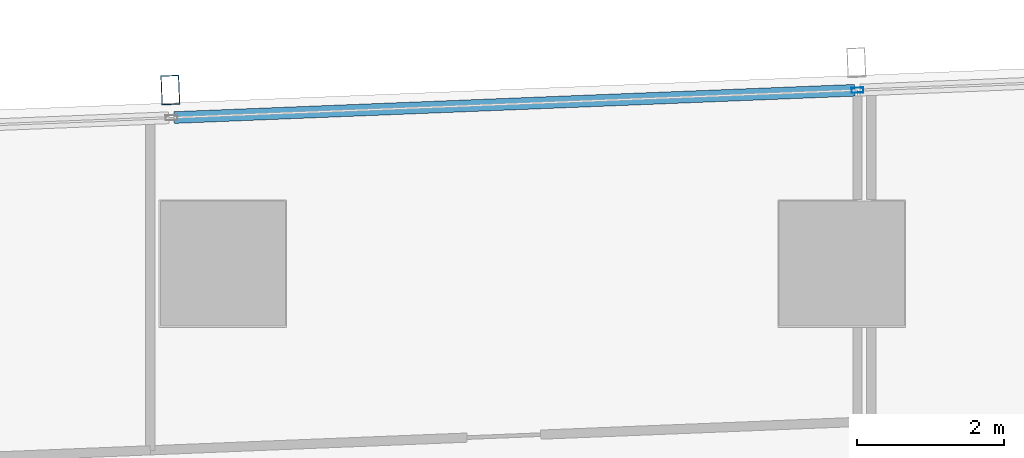
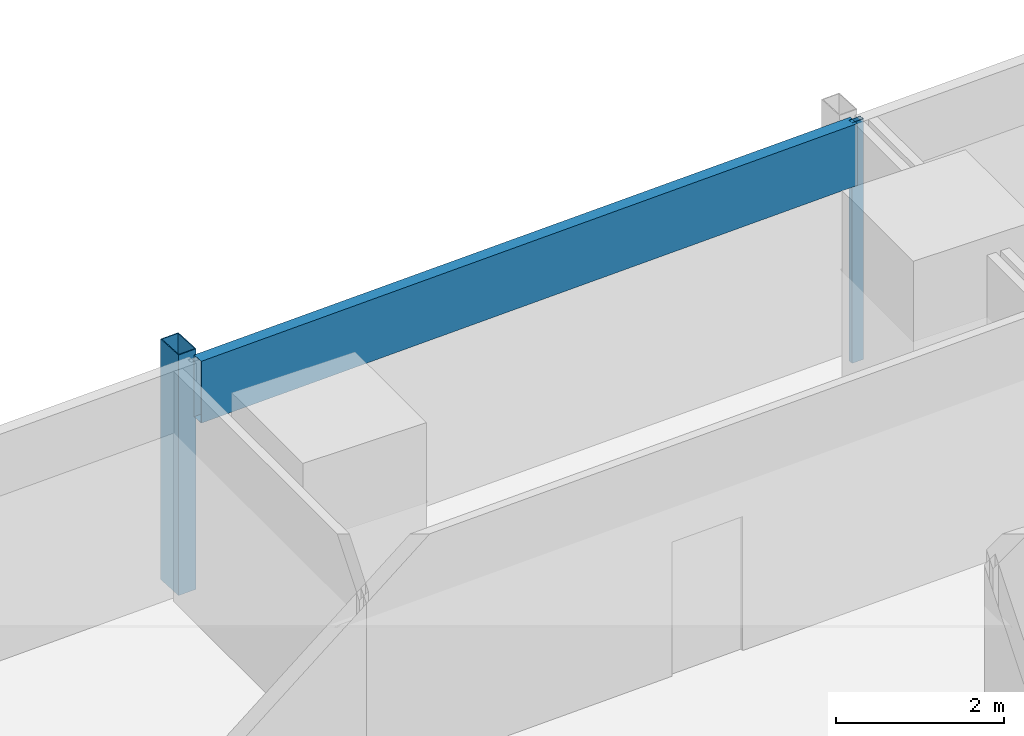
# One storey, part 16 of 40: 3 members, 1 element without a shape of its own.
"""IFC4 building model written with IfcOpenShell, lengths in metres."""

import ifcopenshell
import ifcopenshell.guid

model = None  # the IFC model being written
_history = None  # IfcOwnerHistory: only IFC2X3 demands one
_inside = {}  # id of a spatial element -> (the spatial element, [elements in it])
_under = {}  # id of a project, library or spatial element -> (it, [spatial elements below it])
_declared = {}  # id of a project -> (the project, [libraries it declares])
_typed = {}  # id of a type object -> (the type object, [elements of that type])
_made_of = {}  # id of a material, layer set ... -> (it, [elements and type objects made of it])


def new_model(schema):
    """Start an empty IFC model of exactly this schema.

    Asked for "IFC4X3", IfcOpenShell would pick the latest addendum, in which some entities
    have other attributes; the version numbers below select the first issue.
    IFC2X3 requires an IfcOwnerHistory on every rooted entity: one is made here for all.
    """
    global model, _history
    if schema == "IFC4X3":
        model = ifcopenshell.file(schema_version=(4, 3, 0, 0))
    else:
        model = ifcopenshell.file(schema=schema)
    _inside.clear()
    _under.clear()
    _declared.clear()
    _typed.clear()
    _made_of.clear()
    _history = None
    if model.schema == "IFC2X3":
        org = make("IfcOrganization", Name="unknown")
        user = make(
            "IfcPersonAndOrganization",
            ThePerson=make("IfcPerson", FamilyName="unknown"),
            TheOrganization=org,
        )
        app = make(
            "IfcApplication",
            ApplicationDeveloper=org,
            Version="unknown",
            ApplicationFullName="unknown",
            ApplicationIdentifier="unknown",
        )
        _history = make(
            "IfcOwnerHistory",
            OwningUser=user,
            OwningApplication=app,
            ChangeAction="ADDED",
            CreationDate=0,
        )
    return model


def make(cls, **values):
    """One entity of the class cls with the attributes given. An attribute that is None is left unset."""
    return model.create_entity(
        cls, **{name: value for name, value in values.items() if value is not None}
    )


def rooted(cls, **values):
    """An entity with a GlobalId (a new one), such as an element, a storey or a relation."""
    return make(cls, GlobalId=ifcopenshell.guid.new(), OwnerHistory=_history, **values)


def si_unit(unit_type, name, prefix=None):
    """IfcSIUnit, for example si_unit("LENGTHUNIT", "METRE", prefix="MILLI")."""
    return make("IfcSIUnit", UnitType=unit_type, Prefix=prefix, Name=name)


def assignment(units):
    """IfcUnitAssignment: the units of a project."""
    return None if units is None else make("IfcUnitAssignment", Units=units)


def point(xyz):
    """IfcCartesianPoint."""
    return None if xyz is None else make("IfcCartesianPoint", Coordinates=xyz)


def direction(xyz):
    """IfcDirection."""
    return None if xyz is None else make("IfcDirection", DirectionRatios=xyz)


def frame(location, z_axis=None, x_axis=None):
    """IfcAxis2Placement3D, a coordinate frame: its origin and axes. An axis left out is left unset."""
    return make(
        "IfcAxis2Placement3D",
        Location=point(location),
        Axis=direction(z_axis),
        RefDirection=direction(x_axis),
    )


def frame_2d(location, x_axis=None):
    """IfcAxis2Placement2D, a coordinate frame in the plane: its origin and x axis."""
    return make(
        "IfcAxis2Placement2D", Location=point(location), RefDirection=direction(x_axis)
    )


def origin():
    """The frame at (0, 0, 0) with its axes left unset."""
    return frame((0.0, 0.0, 0.0))


def origin_2d():
    """The frame at (0, 0) in the plane with its x axis left unset."""
    return frame_2d((0.0, 0.0))


def place(relative_to, where):
    """IfcLocalPlacement: puts the frame where relative to a parent placement (None: the world)."""
    return make(
        "IfcLocalPlacement", PlacementRelTo=relative_to, RelativePlacement=where
    )


def context(
    kind, dimensions, precision=None, world=None, true_north=None, identifier=None
):
    """IfcGeometricRepresentationContext, for example the 3D "Model" context."""
    return make(
        "IfcGeometricRepresentationContext",
        ContextIdentifier=identifier,
        ContextType=kind,
        CoordinateSpaceDimension=dimensions,
        Precision=precision,
        WorldCoordinateSystem=world,
        TrueNorth=true_north,
    )


def subcontext(parent, identifier, kind, view, scale=None):
    """IfcGeometricRepresentationSubContext, for example "Body" below "Model"."""
    return make(
        "IfcGeometricRepresentationSubContext",
        ContextIdentifier=identifier,
        ContextType=kind,
        ParentContext=parent,
        TargetScale=scale,
        TargetView=view,
    )


def project(units=None, contexts=None):
    """IfcProject with its units and contexts."""
    return rooted(
        "IfcProject",
        Name="project",
        RepresentationContexts=contexts,
        UnitsInContext=assignment(units),
    )


def spatial(cls, under=None, at=None, **own):
    """A site, building, storey or space (cls), placed at a placement, below another one or the project."""
    s = rooted(cls, ObjectPlacement=at, **own)
    if under is not None:
        _under.setdefault(under.id(), (under, []))[1].append(s)
    return s


def profile(cls, at=None, kind="AREA", **sizes):
    """A parametric profile (cls). Its sizes go by their IFC names, for example OverallWidth=200.0."""
    return make(cls, ProfileType=kind, Position=at, **sizes)


def hollow_rectangle(**sizes):
    """IfcRectangleHollowProfileDef."""
    return profile("IfcRectangleHollowProfileDef", **sizes)


def extrude(swept, where, along, depth):
    """IfcExtrudedAreaSolid: the profile swept, set in the frame where, extruded along a direction by depth."""
    return make(
        "IfcExtrudedAreaSolid",
        SweptArea=swept,
        Position=where,
        ExtrudedDirection=direction(along),
        Depth=depth,
    )


def shape(context_of_items, identifier, shape_type, items):
    """IfcShapeRepresentation: the items that make up one representation, for example the "Body"."""
    return make(
        "IfcShapeRepresentation",
        ContextOfItems=context_of_items,
        RepresentationIdentifier=identifier,
        RepresentationType=shape_type,
        Items=items,
    )


def material(Name=None, Category=None):
    """IfcMaterial."""
    return make("IfcMaterial", Name=Name, Category=Category)


def material_profile(
    of_material, cross_section, Name=None, Category=None, Priority=None
):
    """IfcMaterialProfile: a cross section and its material."""
    return make(
        "IfcMaterialProfile",
        Name=Name,
        Material=of_material,
        Profile=cross_section,
        Priority=Priority,
        Category=Category,
    )


def profile_set(profiles, Name=None, composite=None):
    """IfcMaterialProfileSet."""
    return make(
        "IfcMaterialProfileSet",
        Name=Name,
        MaterialProfiles=profiles,
        CompositeProfile=composite,
    )


def made_of(thing, what):
    """Note that an element or type object is made of a material, layer set ...; save() writes the relation."""
    if what is not None:
        _made_of.setdefault(what.id(), (what, []))[1].append(thing)
    return thing


def type_object(cls, material=None, **own):
    """A type object (cls), such as IfcWallType, which elements share."""
    return made_of(rooted(cls, **own), material)


def element(
    cls,
    number,
    at=None,
    inside=None,
    cuts=None,
    type_object=None,
    material=None,
    context=None,
    identifier="Body",
    shape_type=None,
    held_by="IfcProductDefinitionShape",
    body=None,
    shapes=None,
    **own,
):
    """One element of the class cls, such as IfcWall. Its Tag is "e" and its number.

    at: its placement. inside: the storey or other place that contains it. cuts: it is an
    opening in that element (IfcRelVoidsElement). A single representation is given by context,
    identifier, shape_type and body (its items); several are given by shapes. held_by: the class
    of the entity that holds the representations. save() writes the other relations.
    """
    e = rooted(cls, Tag="e%d" % number, ObjectPlacement=at, **own)
    if body is not None:
        shapes = [shape(context, identifier, shape_type, body)]
    if shapes is not None:
        e.Representation = make(held_by, Representations=shapes)
    if inside is not None:
        _inside.setdefault(inside.id(), (inside, []))[1].append(e)
    if cuts is not None:
        rooted(
            "IfcRelVoidsElement", RelatingBuildingElement=cuts, RelatedOpeningElement=e
        )
    if type_object is not None:
        _typed.setdefault(type_object.id(), (type_object, []))[1].append(e)
    return made_of(e, material)


def aggregate(whole, parts):
    """IfcRelAggregates: a whole, such as a stair, and the parts it consists of."""
    return rooted("IfcRelAggregates", RelatingObject=whole, RelatedObjects=parts)


def save(model, path):
    """Write the relations noted so far, then the file.

    IfcRelAggregates (storeys below a building ...), IfcRelContainedInSpatialStructure (elements
    in a storey), IfcRelDefinesByType, IfcRelAssociatesMaterial and IfcRelDeclares: one each for
    every whole, place, type object, material and project.
    """
    for whole, parts in _under.values():
        aggregate(whole, parts)
    for where, things in _inside.values():
        rooted(
            "IfcRelContainedInSpatialStructure",
            RelatedElements=things,
            RelatingStructure=where,
        )
    for kind, things in _typed.values():
        rooted("IfcRelDefinesByType", RelatedObjects=things, RelatingType=kind)
    for what, things in _made_of.values():
        rooted("IfcRelAssociatesMaterial", RelatedObjects=things, RelatingMaterial=what)
    for by, libraries in _declared.values():
        rooted("IfcRelDeclares", RelatingContext=by, RelatedDefinitions=libraries)
    model.write(path)


model = new_model("IFC4")

# Units and contexts
model_context = context("Model", 3, precision=1e-05, world=origin(), true_north=direction((0.0, 1.0)))
body_context = subcontext(model_context, "Body", "Model", "MODEL_VIEW")
ifc_project = project(units=[si_unit("LENGTHUNIT", "METRE"), si_unit("AREAUNIT", "SQUARE_METRE"), si_unit("VOLUMEUNIT", "CUBIC_METRE"), si_unit("PLANEANGLEUNIT", "RADIAN"), si_unit("MASSUNIT", "GRAM", prefix="KILO")], contexts=[model_context])

# Site, building, storey
site_placement = place(None, origin())
site = spatial("IfcSite", under=ifc_project, at=site_placement, CompositionType="ELEMENT")
building_placement = place(site_placement, origin())
building = spatial("IfcBuilding", under=site, at=building_placement, Name="Rekha Terrace Tower", CompositionType="ELEMENT")
storey_placement = place(building_placement, frame((0.0, 0.0, 106.550048828125)))
storey = spatial("IfcBuildingStorey", under=building, at=storey_placement, Name="L26", CompositionType="ELEMENT", Elevation=106.550048828125)

# Curtain wall, members
ifc_material_1 = material(Name="Aluminium framing", Category="aluminium")
curtain_wall_type = type_object("IfcCurtainWallType", Name="CW3 north unitised glazing", PredefinedType="USERDEFINED", material=ifc_material_1)
curtain_wall_placement = place(storey_placement, origin())
curtain_wall = element("IfcCurtainWall", 1, at=curtain_wall_placement, inside=storey, type_object=curtain_wall_type, Name="CW3 unitised curtain wall", ObjectType="UNITISED CURTAIN WALL", PredefinedType="USERDEFINED")
ifc_material_2 = material(Name="Steel S355 with fluorocarbon finish", Category="steel")
ifc_material_profile_1 = material_profile(ifc_material_2, hollow_rectangle(XDim=0.25, YDim=0.39990234375, WallThickness=0.012451171875, at=origin_2d()), Name="RHS400x250x12.5")
ifc_profile_set_1 = profile_set([ifc_material_profile_1], Name="Steel S355 with fluorocarbon finish")
member_type_1 = type_object("IfcMemberType", Name="BL1 facade blade RHS 400 x 250", PredefinedType="USERDEFINED", material=ifc_profile_set_1)
member_1_placement = place(storey_placement, frame((16.0869140625, 61.1552734375, 0.0), z_axis=(0.0, 0.0, 1.0), x_axis=(-0.999198382632, -0.040032388711, 0.0)))
member_1 = element("IfcMember", 2, at=member_1_placement, type_object=member_type_1, Name="Facade blade", ObjectType="FACADE BLADE", PredefinedType="USERDEFINED", context=body_context, shape_type="SweptSolid", body=[
    extrude(hollow_rectangle(XDim=0.25, YDim=0.39990234375, WallThickness=0.012451171875, at=origin_2d()), origin(), (0.0, 0.0, 1.0), 3.5),
])
ifc_material_3 = material(Name="Aluminium mullion section", Category="aluminium")
ifc_material_profile_2 = material_profile(ifc_material_3, hollow_rectangle(XDim=0.070068359375, YDim=0.159912109375, WallThickness=0.00390625, at=origin_2d()), Name="AL RHS 70x160")
ifc_profile_set_2 = profile_set([ifc_material_profile_2], Name="Aluminium mullion section")
member_type_2 = type_object("IfcMemberType", Name="CW3 mullion RHS 70 x 160", PredefinedType="MULLION", material=ifc_profile_set_2)
member_2_placement = place(storey_placement, frame((25.413818359375, 61.153564453125, 0.0), z_axis=(0.0, 0.0, 1.0), x_axis=(0.040031987119, -0.999198398721, 0.0)))
member_2 = element("IfcMember", 3, at=member_2_placement, type_object=member_type_2, Name="CW3 mullion 3", PredefinedType="MULLION", context=body_context, shape_type="SweptSolid", body=[
    extrude(hollow_rectangle(XDim=0.070068359375, YDim=0.159912109375, WallThickness=0.00390625, at=origin_2d()), origin(), (0.0, 0.0, 1.0), 3.5),
])
ifc_material_4 = material(Name="Insulated aluminium spandrel box", Category="aluminium")
ifc_material_profile_3 = material_profile(ifc_material_4, hollow_rectangle(XDim=0.159912109375, YDim=0.89990234375, WallThickness=0.0029296875, at=origin_2d()), Name="AL SPANDREL BOX 160x900")
ifc_profile_set_3 = profile_set([ifc_material_profile_3], Name="Insulated aluminium spandrel box")
member_type_3 = type_object("IfcMemberType", Name="CW3 spandrel transom 160 x 900", PredefinedType="USERDEFINED", material=ifc_profile_set_3)
member_3_placement = place(storey_placement, frame((25.37890625, 61.152099609375, 3.050048828125), z_axis=(-0.999199102424, -0.040014418831, 0.0), x_axis=(0.040014418831, -0.999199102424, 0.0)))
member_3 = element("IfcMember", 4, at=member_3_placement, type_object=member_type_3, Name="CW3 spandrel transom 3", ObjectType="TRANSOM", PredefinedType="USERDEFINED", context=body_context, shape_type="SweptSolid", body=[
    extrude(hollow_rectangle(XDim=0.159912109375, YDim=0.89990234375, WallThickness=0.0029296875, at=origin_2d()), origin(), (0.0, 0.0, 1.0), 9.24951171875),
])
aggregate(curtain_wall, [member_2, member_3, member_1])

save(model, "model.ifc")
